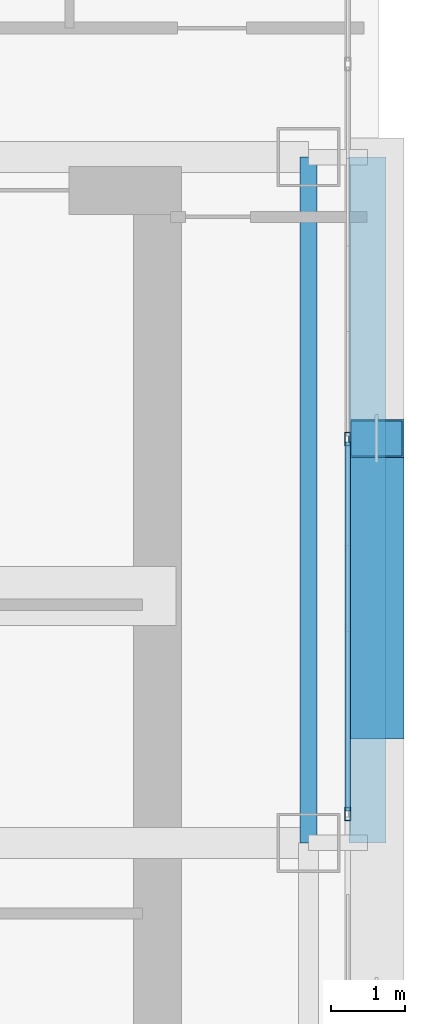
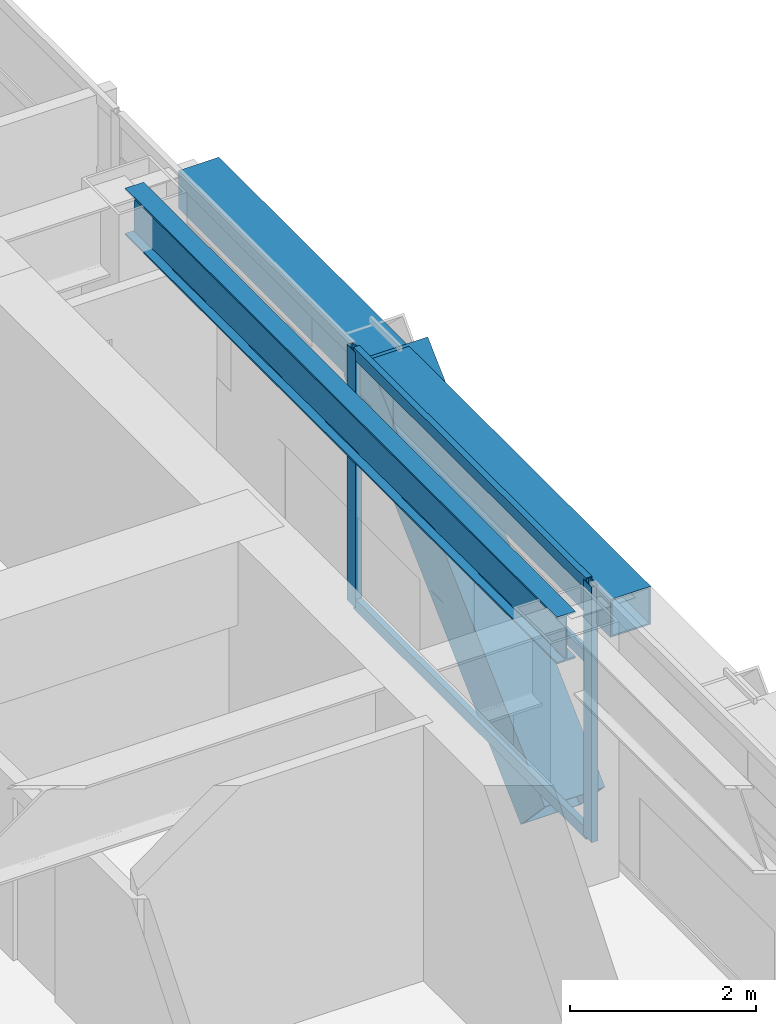
# One storey, part 15 of 36: 6 members, 2 beams, 1 element without a shape of its own.
"""IFC4 building model written with IfcOpenShell, lengths in metres."""

from ifc_helpers import new_model, si_unit, direction, frame, origin, origin_2d, place, context, subcontext, project, spatial, hollow_rectangle, i_section, extrude, source, transform, mapped, material, layer, layer_set, material_profile, profile_set, type_object, element, aggregate, save


model = new_model("IFC4")

# Units and contexts
model_context = context("Model", 3, precision=1e-05, world=origin(), true_north=direction((0.0, 1.0)))
body_context = subcontext(model_context, "Body", "Model", "MODEL_VIEW")
ifc_project = project(units=[si_unit("LENGTHUNIT", "METRE"), si_unit("AREAUNIT", "SQUARE_METRE"), si_unit("VOLUMEUNIT", "CUBIC_METRE"), si_unit("PLANEANGLEUNIT", "RADIAN"), si_unit("MASSUNIT", "GRAM", prefix="KILO")], contexts=[model_context])

# Site, building, storey
site_placement = place(None, origin())
site = spatial("IfcSite", under=ifc_project, at=site_placement, CompositionType="ELEMENT")
building_placement = place(site_placement, origin())
building = spatial("IfcBuilding", under=site, at=building_placement, Name="Ocotamira Hotel", CompositionType="ELEMENT")
storey_placement = place(building_placement, frame((0.0, 0.0, 97.199951171875)))
storey = spatial("IfcBuildingStorey", under=building, at=storey_placement, Name="L23", CompositionType="ELEMENT", Elevation=97.199951171875)

# Beams
ifc_material_1 = material(Name="Steel ASTM A992 Grade 50", Category="steel")
ifc_material_profile_1 = material_profile(ifc_material_1, i_section(OverallWidth=0.22998046875, OverallDepth=0.616943359375, WebThickness=0.01318359375, FlangeThickness=0.022216796875, FilletRadius=0.012939453125, at=origin_2d()), Name="W24X94")
ifc_profile_set_1 = profile_set([ifc_material_profile_1], Name="Steel ASTM A992 Grade 50")
beam_type_1 = type_object("IfcBeamType", Name="BM-PRIM-W24X94", PredefinedType="BEAM", material=ifc_profile_set_1)
shared_shape_1 = source(origin(), body_context, "Body", "SweptSolid", [
    extrude(i_section(OverallWidth=0.22998046875, OverallDepth=0.616943359375, WebThickness=0.01318359375, FlangeThickness=0.022216796875, FilletRadius=0.012939453125, at=origin_2d()), origin(), (0.0, 0.0, 1.0), 9.300048828125),
])
beam_1_placement = place(storey_placement, frame((55.050048828125, 28.14990234375, 3.051513671875), z_axis=(0.0, 1.0, 0.0), x_axis=(-1.0, 0.0, 0.0)))
element("IfcBeam", 1, at=beam_1_placement, inside=storey, type_object=beam_type_1, Name="L23 Beam X55.05 Y28.15-37.45", PredefinedType="BEAM", context=body_context, shape_type="MappedRepresentation", body=[
    mapped(shared_shape_1, transform((0.0, 0.0, 0.0), scale=1.0)),
])
ifc_material_2 = material(Name="Steel ASTM A500 Grade C", Category="steel")
ifc_material_profile_2 = material_profile(ifc_material_2, hollow_rectangle(XDim=0.5, YDim=0.5, WallThickness=0.02001953125, at=origin_2d()), Name="HSS500X500X20")
ifc_profile_set_2 = profile_set([ifc_material_profile_2], Name="Steel ASTM A500 Grade C")
beam_type_2 = type_object("IfcBeamType", Name="BM-SPAN-HSS500", PredefinedType="USERDEFINED", material=ifc_profile_set_2)
shared_shape_2 = source(origin(), body_context, "Body", "SweptSolid", [
    extrude(hollow_rectangle(XDim=0.5, YDim=0.5, WallThickness=0.02001953125, at=origin_2d()), origin(), (0.0, 0.0, 1.0), 9.300048828125),
])
beam_2_placement = place(storey_placement, frame((55.85009765625, 28.14990234375, 3.110107421875), z_axis=(0.0, 1.0, 0.0), x_axis=(-1.0, 0.0, 0.0)))
element("IfcBeam", 2, at=beam_2_placement, inside=storey, type_object=beam_type_2, Name="L23 Edge Spandrel E Y28.15-37.45", ObjectType="SPANDREL", PredefinedType="USERDEFINED", context=body_context, shape_type="MappedRepresentation", body=[
    mapped(shared_shape_2, transform((0.0, 0.0, 0.0), scale=1.0)),
])

# Member
ifc_material_3 = material(Name="Pale-metal coated steel ASTM A913 Grade 65", Category="steel")
ifc_material_profile_3 = material_profile(ifc_material_3, hollow_rectangle(XDim=0.75, YDim=0.75, WallThickness=0.028076171875, at=origin_2d()), Name="BOX750X750X28")
ifc_profile_set_3 = profile_set([ifc_material_profile_3], Name="Pale-metal coated steel ASTM A913 Grade 65")
member_type_1 = type_object("IfcMemberType", Name="MEM-EXO-BOX750", PredefinedType="BRACE", material=ifc_profile_set_3)
shared_shape_3 = source(origin(), body_context, "Body", "SweptSolid", [
    extrude(hollow_rectangle(XDim=0.75, YDim=0.75, WallThickness=0.028076171875, at=origin_2d()), origin(), (0.0, 0.0, 1.0), 5.24658203125),
])
member_1_placement = place(storey_placement, frame((55.969970703125, 29.816650390625, -0.489990234375), z_axis=(0.0, 0.727442733726, 0.686168397078), x_axis=(-1.0, 0.0, 0.0)))
element("IfcMember", 3, at=member_1_placement, inside=storey, type_object=member_type_1, Name="L23 Exoskeleton Diagrid E2.1", PredefinedType="BRACE", context=body_context, shape_type="MappedRepresentation", body=[
    mapped(shared_shape_3, transform((0.0, 0.0, 0.0), scale=1.0)),
])

# Curtain wall, members
ifc_material_4 = material(Name="Anodised pale-metal aluminium and solar glass", Category="aluminium")
ifc_layer = layer(ifc_material_4, 0.179931640625)
ifc_layer_set = layer_set([ifc_layer], Name="Anodised pale-metal aluminium and solar glass")
curtain_wall_type = type_object("IfcCurtainWallType", Name="CW-SYS3-Z2", PredefinedType="NOTDEFINED", material=ifc_layer_set)
curtain_wall_placement = place(storey_placement, origin())
curtain_wall = element("IfcCurtainWall", 4, at=curtain_wall_placement, inside=storey, type_object=curtain_wall_type, Name="L23 Curtain Wall CW-3 CW-L23-E", PredefinedType="NOTDEFINED")
ifc_material_5 = material(Name="Anodised pale-metal aluminium 6063-T6", Category="aluminium")
ifc_material_profile_4 = material_profile(ifc_material_5, hollow_rectangle(XDim=0.074951171875, YDim=0.14990234375, WallThickness=0.006103515625, at=origin_2d()), Name="HSS150X75X6")
ifc_profile_set_4 = profile_set([ifc_material_profile_4], Name="Anodised pale-metal aluminium 6063-T6")
member_type_2 = type_object("IfcMemberType", Name="CWT-150X75", PredefinedType="USERDEFINED", material=ifc_profile_set_4)
shared_shape_4 = source(origin(), body_context, "Body", "SweptSolid", [
    extrude(hollow_rectangle(XDim=0.074951171875, YDim=0.14990234375, WallThickness=0.006103515625, at=origin_2d()), origin(), (0.0, 0.0, 1.0), 5.005859375),
])
member_2_placement = place(storey_placement, frame((55.580078125, 28.582763671875, 0.03759765625), z_axis=(0.0, 1.0, 0.0), x_axis=(-1.0, 0.0, 0.0)))
member_2 = element("IfcMember", 5, at=member_2_placement, type_object=member_type_2, Name="CW-3 transom 5.1", ObjectType="TRANSOM", PredefinedType="USERDEFINED", context=body_context, shape_type="MappedRepresentation", body=[
    mapped(shared_shape_4, transform((0.0, 0.0, 0.0), scale=1.0)),
])
member_3_placement = place(storey_placement, frame((55.580078125, 28.582763671875, 2.35009765625), z_axis=(0.0, 1.0, 0.0), x_axis=(-1.0, 0.0, 0.0)))
member_3 = element("IfcMember", 6, at=member_3_placement, type_object=member_type_2, Name="CW-3 transom 5.2", ObjectType="TRANSOM", PredefinedType="USERDEFINED", context=body_context, shape_type="MappedRepresentation", body=[
    mapped(shared_shape_4, transform((0.0, 0.0, 0.0), scale=1.0)),
])
member_4_placement = place(storey_placement, frame((55.580078125, 28.582763671875, 3.322509765625), z_axis=(0.0, 1.0, 0.0), x_axis=(-1.0, 0.0, 0.0)))
member_4 = element("IfcMember", 7, at=member_4_placement, type_object=member_type_2, Name="CW-3 transom 5.3", ObjectType="TRANSOM", PredefinedType="USERDEFINED", context=body_context, shape_type="MappedRepresentation", body=[
    mapped(shared_shape_4, transform((0.0, 0.0, 0.0), scale=1.0)),
])
ifc_material_profile_5 = material_profile(ifc_material_5, hollow_rectangle(XDim=0.080078125, YDim=0.179931640625, WallThickness=0.006103515625, at=origin_2d()), Name="HSS180X80X6")
ifc_profile_set_5 = profile_set([ifc_material_profile_5], Name="Anodised pale-metal aluminium 6063-T6")
member_type_3 = type_object("IfcMemberType", Name="CWM-180X75", PredefinedType="MULLION", material=ifc_profile_set_5)
shared_shape_5 = source(origin(), body_context, "Body", "SweptSolid", [
    extrude(hollow_rectangle(XDim=0.080078125, YDim=0.179931640625, WallThickness=0.006103515625, at=origin_2d()), origin(), (0.0, 0.0, 1.0), 3.360107421875),
])
member_5_placement = place(storey_placement, frame((55.580078125, 28.54296875, 0.0), z_axis=(0.0, 0.0, 1.0), x_axis=(-1.0, 0.0, 0.0)))
member_5 = element("IfcMember", 8, at=member_5_placement, type_object=member_type_3, Name="CW-3 mullion 5", PredefinedType="MULLION", context=body_context, shape_type="MappedRepresentation", body=[
    mapped(shared_shape_5, transform((0.0, 0.0, 0.0), scale=1.0)),
])
member_6_placement = place(storey_placement, frame((55.580078125, 33.628662109375, 0.0), z_axis=(0.0, 0.0, 1.0), x_axis=(-1.0, 0.0, 0.0)))
member_6 = element("IfcMember", 9, at=member_6_placement, type_object=member_type_3, Name="CW-3 mullion 6", PredefinedType="MULLION", context=body_context, shape_type="MappedRepresentation", body=[
    mapped(shared_shape_5, transform((0.0, 0.0, 0.0), scale=1.0)),
])
aggregate(curtain_wall, [member_5, member_6, member_2, member_3, member_4])

save(model, "model.ifc")
